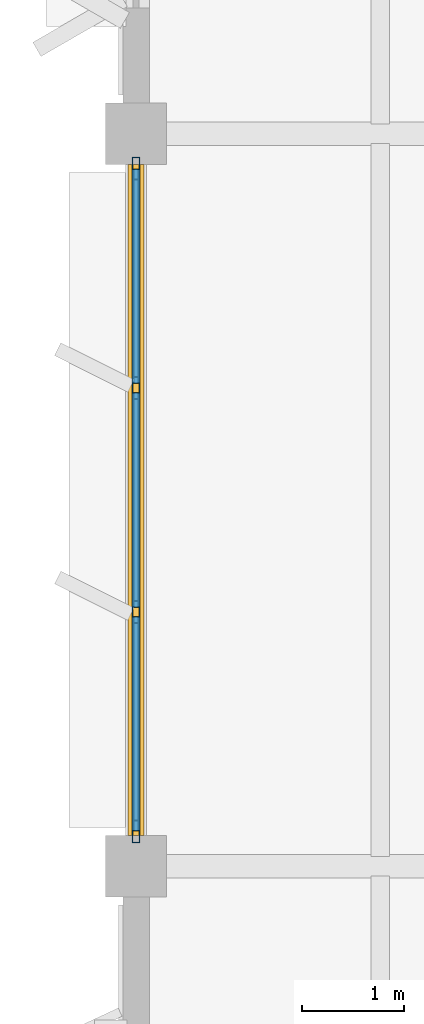
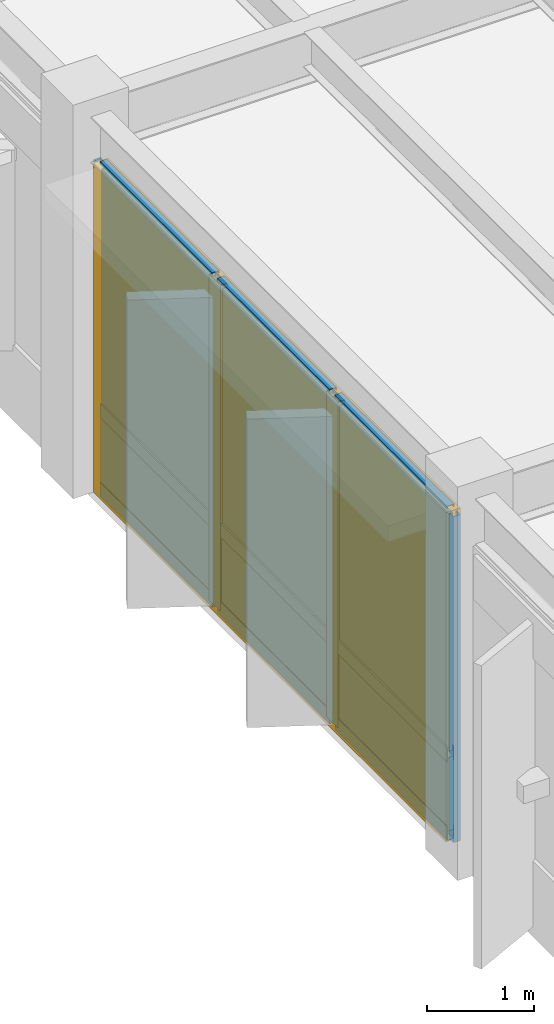
# One storey, part 52 of 92: 13 members, 6 plates, 1 curtain wall.
"""IFC4 building model written with IfcOpenShell, lengths in metres."""

from ifc_helpers import new_model, si_unit, direction, frame, origin, origin_2d, place, context, subcontext, project, spatial, rectangle, hollow_rectangle, extrude, material, layer, layer_set, material_profile, profile_set, type_object, element, aggregate, save


model = new_model("IFC4")

# Units and contexts
model_context = context("Model", 3, precision=1e-05, world=origin(), true_north=direction((0.0, 1.0)))
body_context = subcontext(model_context, "Body", "Model", "MODEL_VIEW")
ifc_project = project(units=[si_unit("LENGTHUNIT", "METRE"), si_unit("AREAUNIT", "SQUARE_METRE"), si_unit("VOLUMEUNIT", "CUBIC_METRE"), si_unit("PLANEANGLEUNIT", "RADIAN"), si_unit("MASSUNIT", "GRAM", prefix="KILO")], contexts=[model_context])

# Member
ifc_material_1 = material(Name="Anodized Aluminium 6063-T6", Category="aluminium")
ifc_material_profile_1 = material_profile(ifc_material_1, hollow_rectangle(XDim=0.074951171875, YDim=0.219970703125, WallThickness=0.0048828125, at=origin_2d()), Name="ALU 75x220x5")
ifc_profile_set_1 = profile_set([ifc_material_profile_1], Name="Anodized Aluminium 6063-T6")
member_type_1 = type_object("IfcMemberType", Name="CWM-75X180", PredefinedType="MULLION", material=ifc_profile_set_1)
site_placement = place(None, origin())
building_placement = place(site_placement, origin())
storey_placement = place(building_placement, frame((0.0, 0.0, 5.39990234375)))
member_1_placement = place(storey_placement, frame((7.199951171875, 65.139892578125, 0.02001953125), z_axis=(0.0, 0.0, 1.0), x_axis=(1.0, 0.0, 0.0)))
member_1 = element("IfcMember", 1, at=member_1_placement, type_object=member_type_1, Name="Curtain wall mullion CW-L02-01-09-W-00", PredefinedType="MULLION", context=body_context, shape_type="SweptSolid", body=[
    extrude(hollow_rectangle(XDim=0.074951171875, YDim=0.219970703125, WallThickness=0.0048828125, at=origin_2d()), origin(), (0.0, 0.0, 1.0), 3.72705078125),
])

member_2_placement = place(storey_placement, frame((7.199951171875, 67.300048828125, 0.02001953125), z_axis=(0.0, 0.0, 1.0), x_axis=(1.0, 0.0, 0.0)))
member_2 = element("IfcMember", 2, at=member_2_placement, type_object=member_type_1, Name="Curtain wall mullion CW-L02-01-09-W-01", PredefinedType="MULLION", context=body_context, shape_type="SweptSolid", body=[
    extrude(hollow_rectangle(XDim=0.074951171875, YDim=0.219970703125, WallThickness=0.0048828125, at=origin_2d()), origin(), (0.0, 0.0, 1.0), 3.72705078125),
])

member_3_placement = place(storey_placement, frame((7.199951171875, 69.5, 0.02001953125), z_axis=(0.0, 0.0, 1.0), x_axis=(1.0, 0.0, 0.0)))
member_3 = element("IfcMember", 3, at=member_3_placement, type_object=member_type_1, Name="Curtain wall mullion CW-L02-01-09-W-02", PredefinedType="MULLION", context=body_context, shape_type="SweptSolid", body=[
    extrude(hollow_rectangle(XDim=0.074951171875, YDim=0.219970703125, WallThickness=0.0048828125, at=origin_2d()), origin(), (0.0, 0.0, 1.0), 3.72705078125),
])

member_4_placement = place(storey_placement, frame((7.199951171875, 71.659912109375, 0.02001953125), z_axis=(0.0, 0.0, 1.0), x_axis=(1.0, 0.0, 0.0)))
member_4 = element("IfcMember", 4, at=member_4_placement, type_object=member_type_1, Name="Curtain wall mullion CW-L02-01-09-W-03", PredefinedType="MULLION", context=body_context, shape_type="SweptSolid", body=[
    extrude(hollow_rectangle(XDim=0.074951171875, YDim=0.219970703125, WallThickness=0.0048828125, at=origin_2d()), origin(), (0.0, 0.0, 1.0), 3.72705078125),
])

ifc_material_profile_2 = material_profile(ifc_material_1, hollow_rectangle(XDim=0.074951171875, YDim=0.159912109375, WallThickness=0.00390625, at=origin_2d()), Name="ALU 75x160x4")
ifc_profile_set_2 = profile_set([ifc_material_profile_2], Name="Anodized Aluminium 6063-T6")
member_type_2 = type_object("IfcMemberType", Name="CWT-75X150", PredefinedType="USERDEFINED", material=ifc_profile_set_2)
member_5_placement = place(storey_placement, frame((7.199951171875, 65.14990234375, 0.050048828125), z_axis=(0.0, 1.0, 0.0), x_axis=(-1.0, 0.0, 0.0)))
member_5 = element("IfcMember", 5, at=member_5_placement, type_object=member_type_2, Name="Curtain wall transom CW-L02-01-09-W-1.01", ObjectType="TRANSOM", PredefinedType="USERDEFINED", context=body_context, shape_type="SweptSolid", body=[
    extrude(hollow_rectangle(XDim=0.074951171875, YDim=0.159912109375, WallThickness=0.00390625, at=origin_2d()), origin(), (0.0, 0.0, 1.0), 2.10009765625),
])

member_6_placement = place(storey_placement, frame((7.199951171875, 67.35009765625, 0.050048828125), z_axis=(0.0, 1.0, 0.0), x_axis=(-1.0, 0.0, 0.0)))
member_6 = element("IfcMember", 6, at=member_6_placement, type_object=member_type_2, Name="Curtain wall transom CW-L02-01-09-W-1.02", ObjectType="TRANSOM", PredefinedType="USERDEFINED", context=body_context, shape_type="SweptSolid", body=[
    extrude(hollow_rectangle(XDim=0.074951171875, YDim=0.159912109375, WallThickness=0.00390625, at=origin_2d()), origin(), (0.0, 0.0, 1.0), 2.099853515625),
])

member_7_placement = place(storey_placement, frame((7.199951171875, 69.550048828125, 0.050048828125), z_axis=(0.0, 1.0, 0.0), x_axis=(-1.0, 0.0, 0.0)))
member_7 = element("IfcMember", 7, at=member_7_placement, type_object=member_type_2, Name="Curtain wall transom CW-L02-01-09-W-1.03", ObjectType="TRANSOM", PredefinedType="USERDEFINED", context=body_context, shape_type="SweptSolid", body=[
    extrude(hollow_rectangle(XDim=0.074951171875, YDim=0.159912109375, WallThickness=0.00390625, at=origin_2d()), origin(), (0.0, 0.0, 1.0), 2.099853515625),
])

member_8_placement = place(storey_placement, frame((7.199951171875, 65.14990234375, 0.9501953125), z_axis=(0.0, 1.0, 0.0), x_axis=(-1.0, 0.0, 0.0)))
member_8 = element("IfcMember", 8, at=member_8_placement, type_object=member_type_2, Name="Curtain wall transom CW-L02-01-09-W-2.01", ObjectType="TRANSOM", PredefinedType="USERDEFINED", context=body_context, shape_type="SweptSolid", body=[
    extrude(hollow_rectangle(XDim=0.074951171875, YDim=0.159912109375, WallThickness=0.00390625, at=origin_2d()), origin(), (0.0, 0.0, 1.0), 2.10009765625),
])

member_9_placement = place(storey_placement, frame((7.199951171875, 67.35009765625, 0.9501953125), z_axis=(0.0, 1.0, 0.0), x_axis=(-1.0, 0.0, 0.0)))
member_9 = element("IfcMember", 9, at=member_9_placement, type_object=member_type_2, Name="Curtain wall transom CW-L02-01-09-W-2.02", ObjectType="TRANSOM", PredefinedType="USERDEFINED", context=body_context, shape_type="SweptSolid", body=[
    extrude(hollow_rectangle(XDim=0.074951171875, YDim=0.159912109375, WallThickness=0.00390625, at=origin_2d()), origin(), (0.0, 0.0, 1.0), 2.099853515625),
])

member_10_placement = place(storey_placement, frame((7.199951171875, 69.550048828125, 0.9501953125), z_axis=(0.0, 1.0, 0.0), x_axis=(-1.0, 0.0, 0.0)))
member_10 = element("IfcMember", 10, at=member_10_placement, type_object=member_type_2, Name="Curtain wall transom CW-L02-01-09-W-2.03", ObjectType="TRANSOM", PredefinedType="USERDEFINED", context=body_context, shape_type="SweptSolid", body=[
    extrude(hollow_rectangle(XDim=0.074951171875, YDim=0.159912109375, WallThickness=0.00390625, at=origin_2d()), origin(), (0.0, 0.0, 1.0), 2.099853515625),
])

member_11_placement = place(storey_placement, frame((7.199951171875, 65.14990234375, 3.717041015625), z_axis=(0.0, 1.0, 0.0), x_axis=(-1.0, 0.0, 0.0)))
member_11 = element("IfcMember", 11, at=member_11_placement, type_object=member_type_2, Name="Curtain wall transom CW-L02-01-09-W-3.01", ObjectType="TRANSOM", PredefinedType="USERDEFINED", context=body_context, shape_type="SweptSolid", body=[
    extrude(hollow_rectangle(XDim=0.074951171875, YDim=0.159912109375, WallThickness=0.00390625, at=origin_2d()), origin(), (0.0, 0.0, 1.0), 2.10009765625),
])

member_12_placement = place(storey_placement, frame((7.199951171875, 67.35009765625, 3.717041015625), z_axis=(0.0, 1.0, 0.0), x_axis=(-1.0, 0.0, 0.0)))
member_12 = element("IfcMember", 12, at=member_12_placement, type_object=member_type_2, Name="Curtain wall transom CW-L02-01-09-W-3.02", ObjectType="TRANSOM", PredefinedType="USERDEFINED", context=body_context, shape_type="SweptSolid", body=[
    extrude(hollow_rectangle(XDim=0.074951171875, YDim=0.159912109375, WallThickness=0.00390625, at=origin_2d()), origin(), (0.0, 0.0, 1.0), 2.099853515625),
])

member_13_placement = place(storey_placement, frame((7.199951171875, 69.550048828125, 3.717041015625), z_axis=(0.0, 1.0, 0.0), x_axis=(-1.0, 0.0, 0.0)))
member_13 = element("IfcMember", 13, at=member_13_placement, type_object=member_type_2, Name="Curtain wall transom CW-L02-01-09-W-3.03", ObjectType="TRANSOM", PredefinedType="USERDEFINED", context=body_context, shape_type="SweptSolid", body=[
    extrude(hollow_rectangle(XDim=0.074951171875, YDim=0.159912109375, WallThickness=0.00390625, at=origin_2d()), origin(), (0.0, 0.0, 1.0), 2.099853515625),
])

# Plate
ifc_material_2 = material(Name="Acoustic Laminated Low-E Glazing", Category="glass")
ifc_layer_1 = layer(ifc_material_2, 0.0439453125)
ifc_layer_set_1 = layer_set([ifc_layer_1], Name="Acoustic Laminated Low-E Glazing")
plate_type_1 = type_object("IfcPlateType", Name="CWP-IGU-44", PredefinedType="CURTAIN_PANEL", material=ifc_layer_set_1)
plate_1_placement = place(storey_placement, frame((7.199951171875, 66.199951171875, 0.990234375), z_axis=(0.0, 0.0, 1.0), x_axis=(0.0, 1.0, 0.0)))
plate_1 = element("IfcPlate", 14, at=plate_1_placement, type_object=plate_type_1, Name="Curtain wall vision glazing CW-L02-01-09-W-01", PredefinedType="CURTAIN_PANEL", context=body_context, shape_type="SweptSolid", body=[
    extrude(rectangle(XDim=2.110107421875, YDim=0.0400390625, at=origin_2d()), origin(), (0.0, 0.0, 1.0), 2.717041015625),
])

plate_2_placement = place(storey_placement, frame((7.199951171875, 68.39990234375, 0.990234375), z_axis=(0.0, 0.0, 1.0), x_axis=(0.0, 1.0, 0.0)))
plate_2 = element("IfcPlate", 15, at=plate_2_placement, type_object=plate_type_1, Name="Curtain wall vision glazing CW-L02-01-09-W-02", PredefinedType="CURTAIN_PANEL", context=body_context, shape_type="SweptSolid", body=[
    extrude(rectangle(XDim=2.110107421875, YDim=0.0400390625, at=origin_2d()), origin(), (0.0, 0.0, 1.0), 2.717041015625),
])

plate_3_placement = place(storey_placement, frame((7.199951171875, 70.60009765625, 0.990234375), z_axis=(0.0, 0.0, 1.0), x_axis=(0.0, 1.0, 0.0)))
plate_3 = element("IfcPlate", 16, at=plate_3_placement, type_object=plate_type_1, Name="Curtain wall vision glazing CW-L02-01-09-W-03", PredefinedType="CURTAIN_PANEL", context=body_context, shape_type="SweptSolid", body=[
    extrude(rectangle(XDim=2.110107421875, YDim=0.0400390625, at=origin_2d()), origin(), (0.0, 0.0, 1.0), 2.717041015625),
])

ifc_material_3 = material(Name="Insulated Stone-Composite Spandrel", Category="masonry")
ifc_layer_2 = layer(ifc_material_3, 0.068115234375)
ifc_layer_set_2 = layer_set([ifc_layer_2], Name="Insulated Stone-Composite Spandrel")
plate_type_2 = type_object("IfcPlateType", Name="CWP-SPN-68", PredefinedType="CURTAIN_PANEL", material=ifc_layer_set_2)
plate_4_placement = place(storey_placement, frame((7.199951171875, 66.199951171875, 0.080078125), z_axis=(0.0, 0.0, 1.0), x_axis=(0.0, 1.0, 0.0)))
plate_4 = element("IfcPlate", 17, at=plate_4_placement, type_object=plate_type_2, Name="Curtain wall spandrel panel CW-L02-01-09-W-01", PredefinedType="CURTAIN_PANEL", context=body_context, shape_type="SweptSolid", body=[
    extrude(rectangle(XDim=2.110107421875, YDim=0.06005859375, at=origin_2d()), origin(), (0.0, 0.0, 1.0), 0.840087890625),
])

plate_5_placement = place(storey_placement, frame((7.199951171875, 68.39990234375, 0.080078125), z_axis=(0.0, 0.0, 1.0), x_axis=(0.0, 1.0, 0.0)))
plate_5 = element("IfcPlate", 18, at=plate_5_placement, type_object=plate_type_2, Name="Curtain wall spandrel panel CW-L02-01-09-W-02", PredefinedType="CURTAIN_PANEL", context=body_context, shape_type="SweptSolid", body=[
    extrude(rectangle(XDim=2.110107421875, YDim=0.06005859375, at=origin_2d()), origin(), (0.0, 0.0, 1.0), 0.840087890625),
])

plate_6_placement = place(storey_placement, frame((7.199951171875, 70.60009765625, 0.080078125), z_axis=(0.0, 0.0, 1.0), x_axis=(0.0, 1.0, 0.0)))
plate_6 = element("IfcPlate", 19, at=plate_6_placement, type_object=plate_type_2, Name="Curtain wall spandrel panel CW-L02-01-09-W-03", PredefinedType="CURTAIN_PANEL", context=body_context, shape_type="SweptSolid", body=[
    extrude(rectangle(XDim=2.110107421875, YDim=0.06005859375, at=origin_2d()), origin(), (0.0, 0.0, 1.0), 0.840087890625),
])

# Site, building, storey
site = spatial("IfcSite", under=ifc_project, at=site_placement, CompositionType="ELEMENT")
building = spatial("IfcBuilding", under=site, at=building_placement, Name="Sillqori Civic Hall", CompositionType="ELEMENT")
storey = spatial("IfcBuildingStorey", under=building, at=storey_placement, Name="L02", CompositionType="ELEMENT", Elevation=5.39990234375)

# Curtain wall
ifc_material_4 = material(Name="Anodized Aluminium Curtain Wall System", Category="aluminium")
curtain_wall_type = type_object("IfcCurtainWallType", Name="CW-GL-430", PredefinedType="NOTDEFINED", material=ifc_material_4)
curtain_wall_placement = place(storey_placement, frame((7.199951171875, 68.39990234375, 0.0), z_axis=(0.0, 0.0, 1.0), x_axis=(0.0, 1.0, 0.0)))
curtain_wall = element("IfcCurtainWall", 20, at=curtain_wall_placement, inside=storey, type_object=curtain_wall_type, Name="L02 unitised curtain wall CW-L02-01-09-W", PredefinedType="NOTDEFINED", context=body_context, shape_type="SweptSolid", body=[
    extrude(rectangle(XDim=6.60009765625, YDim=0.159912109375, at=origin_2d()), origin(), (0.0, 0.0, 1.0), 3.76708984375),
])

aggregate(curtain_wall, [member_1, member_2, member_3, member_4, member_5, member_6, member_7, member_8, member_9, member_10, member_11, member_12, member_13, plate_4, plate_1, plate_5, plate_2, plate_6, plate_3])

save(model, "model.ifc")
